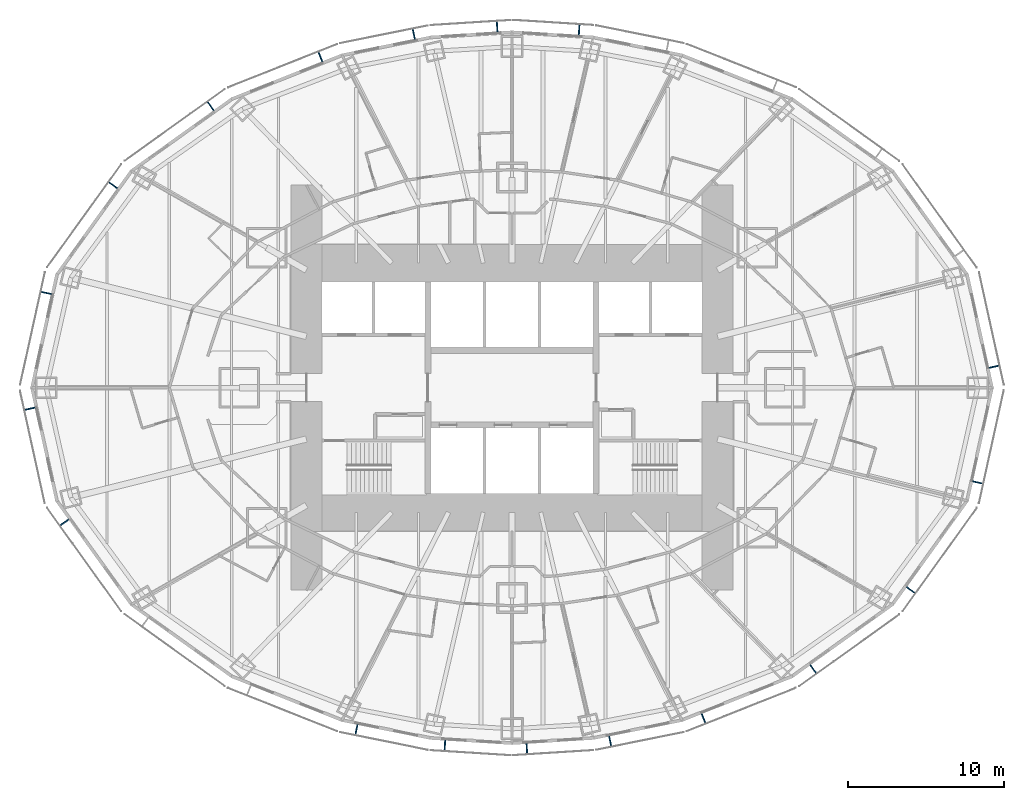
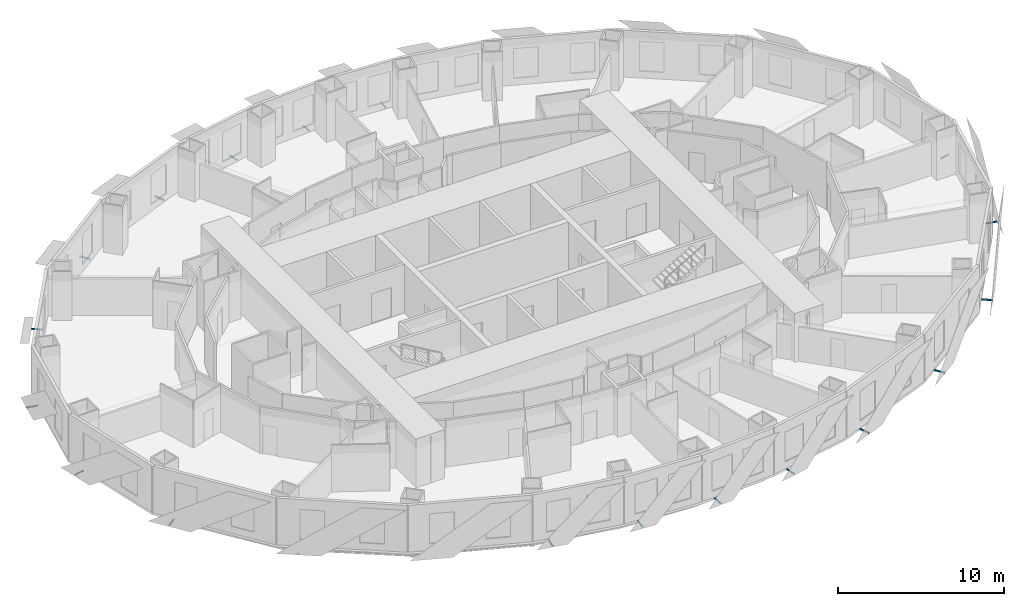
# One storey, part 11 of 15: 18 discrete accessories.
"""IFC4 building model written with IfcOpenShell, lengths in metres."""

from ifc_helpers import new_model, si_unit, direction, frame, origin, origin_2d, place, context, subcontext, project, spatial, rectangle, extrude, element, save


model = new_model("IFC4")

# Units and contexts
model_context = context("Model", 3, precision=1e-05, world=origin(), true_north=direction((0.0, 1.0)))
body_context = subcontext(model_context, "Body", "Model", "MODEL_VIEW")
ifc_project = project(units=[si_unit("LENGTHUNIT", "METRE"), si_unit("AREAUNIT", "SQUARE_METRE"), si_unit("VOLUMEUNIT", "CUBIC_METRE"), si_unit("PLANEANGLEUNIT", "RADIAN"), si_unit("MASSUNIT", "GRAM", prefix="KILO")], contexts=[model_context])

# Site, building, storey
site_placement = place(None, origin())
site = spatial("IfcSite", under=ifc_project, at=site_placement, CompositionType="ELEMENT")
building_placement = place(site_placement, origin())
building = spatial("IfcBuilding", under=site, at=building_placement, Name="Lantaw Convention Tower", CompositionType="ELEMENT")
storey_placement = place(building_placement, frame((0.0, 0.0, 76.60009765625)))
storey = spatial("IfcBuildingStorey", under=building, at=storey_placement, Name="L17", CompositionType="ELEMENT", Elevation=76.60009765625)

# Discrete accessories
for number, where, z_axis, x_axis, name in (
    (1, (30.967529296875, 1.35009765625, -0.115234375), (0.0, 0.0, 1.0), (-0.215246056391, 0.976559847223, 0.0), "Screen bracket"),
    (2, (4.310302734375, 22.987548828125, -0.115234375), (0.0, 0.0, 1.0), (-0.998016153807, 0.062958373078, 0.0), "Screen bracket"),
    (3, (-0.9560546875, 23.19921875, -0.115234375), (0.0, 0.0, 1.0), (-0.998016153807, -0.062958373078, 0.0), "Screen bracket"),
    (4, (-6.307861328125, 22.71728515625, -0.115234375), (0.0, 0.0, 1.0), (-0.980244604501, -0.197789067813, 0.0), "Screen bracket"),
    (5, (-12.309814453125, 21.25732421875, -0.115234375), (0.0, 0.0, 1.0), (-0.929361152748, -0.369171840425, 0.0), "Screen bracket"),
    (6, (-19.352294921875, 18.085205078125, -0.115234375), (0.0, 0.0, 1.0), (-0.812803733199, -0.5825376308, 0.0), "Screen bracket"),
    (7, (-25.61962890625, 13.004638671875, -0.115234375), (0.0, 0.0, 1.0), (-0.583951250436, -0.811788726895, 0.0), "Screen bracket"),
    (8, (-29.92333984375, 6.087890625, -0.115234375), (0.0, 0.0, 1.0), (-0.215246056391, -0.976559847223, 0.0), "Screen bracket"),
    (9, (-30.967529296875, -1.35009765625, -0.115234375), (0.0, 0.0, 1.0), (0.215246056391, -0.976559847223, 0.0), "Screen bracket"),
    (10, (-28.745849609375, -8.65869140625, -0.115234375), (0.0, 0.0, 1.0), (0.583951250436, -0.811788726895, 0.0), "Screen bracket"),
    (11, (-9.990478515625, -21.974365234375, -0.115234375), (0.0, 0.0, 1.0), (0.980244604501, -0.197789067813, 0.0), "Screen bracket"),
    (12, (-4.310302734375, -22.987548828125, -0.115234375), (0.0, 0.0, 1.0), (0.998016153807, -0.062958373078, 0.0), "Screen bracket"),
    (13, (0.9560546875, -23.19921875, -0.115234375), (0.0, 0.0, 1.0), (0.998016153807, 0.062958373078, 0.0), "Screen bracket"),
    (14, (6.307861328125, -22.71728515625, -0.115234375), (0.0, 0.0, 1.0), (0.980244604501, 0.197789067813, 0.0), "Screen bracket"),
    (15, (12.309814453125, -21.25732421875, -0.115234375), (0.0, 0.0, 1.0), (0.929361152748, 0.369171840425, 0.0), "Screen bracket"),
    (16, (19.352294921875, -18.085205078125, -0.115234375), (0.0, 0.0, 1.0), (0.812803733199, 0.5825376308, 0.0), "Screen bracket"),
    (17, (25.61962890625, -13.004638671875, -0.115234375), (0.0, 0.0, 1.0), (0.583951250436, 0.811788726895, 0.0), "Screen bracket"),
    (18, (29.92333984375, -6.087890625, -0.115234375), (0.0, 0.0, 1.0), (0.215246056391, 0.976559847223, 0.0), "Screen bracket"),
):
    element("IfcDiscreteAccessory", number, at=place(storey_placement, frame(where, z_axis=z_axis, x_axis=x_axis)), inside=storey, Name=name, PredefinedType="BRACKET", context=body_context, shape_type="SweptSolid", body=[
        extrude(rectangle(XDim=0.080078125, YDim=0.68798828125, at=origin_2d()), origin(), (0.0, 0.0, 1.0), 0.080078125),
    ])

save(model, "model.ifc")
